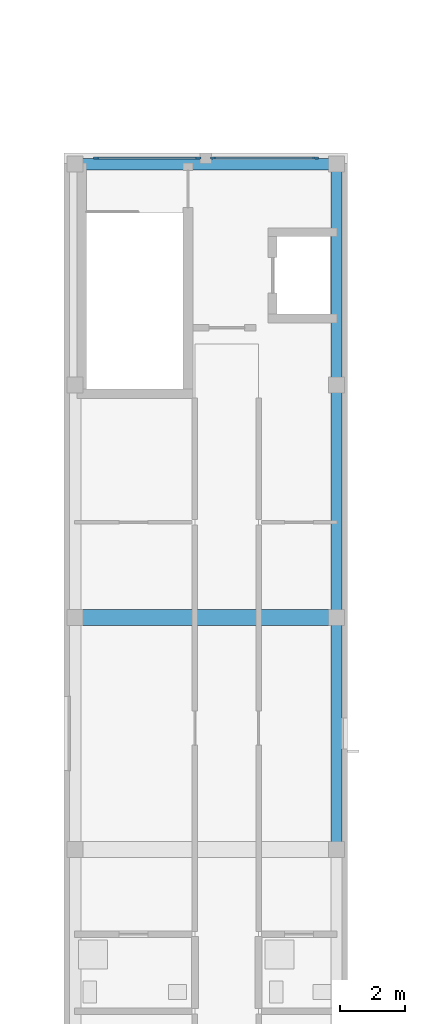
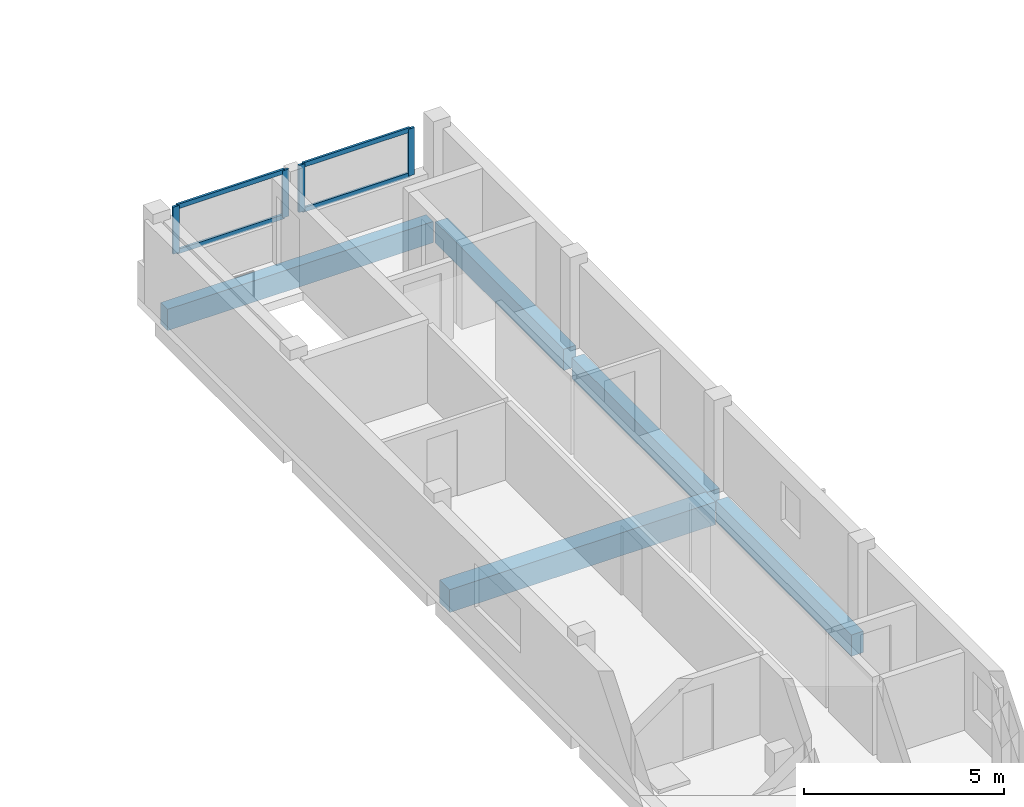
# One storey, part 6 of 28: 8 members, 5 beams, 2 elements without a shape of their own.
"""IFC4 building model written with IfcOpenShell, lengths in metres."""

from ifc_helpers import new_model, si_unit, derived_unit, direction, frame, origin, origin_2d, place, context, subcontext, project, spatial, rectangle, extrude, material, layer, layer_set, material_profile, profile_set, type_object, element, aggregate, save


model = new_model("IFC4")

# Units and contexts
model_context = context("Model", 3, precision=1e-05, world=origin(), true_north=direction((0.0, 1.0)))
body_context = subcontext(model_context, "Body", "Model", "MODEL_VIEW")
ifc_project = project(units=[si_unit("LENGTHUNIT", "METRE"), si_unit("AREAUNIT", "SQUARE_METRE"), si_unit("VOLUMEUNIT", "CUBIC_METRE"), si_unit("PLANEANGLEUNIT", "RADIAN"), si_unit("MASSUNIT", "GRAM", prefix="KILO"), derived_unit("THERMALTRANSMITTANCEUNIT", [(si_unit("MASSUNIT", "GRAM", prefix="KILO"), 1), (si_unit("TIMEUNIT", "SECOND"), -3), (si_unit("THERMODYNAMICTEMPERATUREUNIT", "KELVIN"), -1)])], contexts=[model_context])

# Site, building, storey
site_placement = place(None, origin())
site = spatial("IfcSite", under=ifc_project, at=site_placement, CompositionType="ELEMENT")
building_placement = place(site_placement, origin())
building = spatial("IfcBuilding", under=site, at=building_placement, Name="Ochrekiln Boulevard Commons", CompositionType="ELEMENT")
storey_placement = place(building_placement, frame((0.0, 0.0, 34.125)))
storey = spatial("IfcBuildingStorey", under=building, at=storey_placement, Name="L10", CompositionType="ELEMENT", Elevation=34.125)

# Beam
ifc_material_1 = material(Name="Concrete C40/50", Category="concrete")
ifc_material_profile_1 = material_profile(ifc_material_1, rectangle(XDim=0.5, YDim=0.699951171875, at=origin_2d()), Name="RC-BM-500x700")
ifc_profile_set_1 = profile_set([ifc_material_profile_1], Name="Concrete C40/50")
beam_type_1 = type_object("IfcBeamType", Name="BM-RC-500x700", PredefinedType="BEAM", material=ifc_profile_set_1)
beam_1_placement = place(storey_placement, frame((156.360107421875, 36.0, -0.60009765625), z_axis=(1.0, 0.0, 0.0), x_axis=(0.0, 1.0, 0.0)))
element("IfcBeam", 1, at=beam_1_placement, inside=storey, type_object=beam_type_1, Name="Block C L10 Beam B-5070 X5", PredefinedType="BEAM", context=body_context, shape_type="SweptSolid", body=[
    extrude(rectangle(XDim=0.5, YDim=0.699951171875, at=origin_2d()), origin(), (0.0, 0.0, 1.0), 7.679931640625),
])

# Curtain wall, members
ifc_material_2 = material(Name="Bronze-anodized extruded aluminium 6063-T6", Category="aluminium")
ifc_layer = layer(ifc_material_2, 0.18408203125)
ifc_layer_set = layer_set([ifc_layer], Name="Bronze-anodized extruded aluminium 6063-T6")
curtain_wall_type = type_object("IfcCurtainWallType", Name="CW-GABLE-B", PredefinedType="USERDEFINED", material=ifc_layer_set)
curtain_wall_1_placement = place(storey_placement, origin())
curtain_wall_1 = element("IfcCurtainWall", 2, at=curtain_wall_1_placement, inside=storey, type_object=curtain_wall_type, Name="Block C L10 Courtyard Glazed Gable Curtain Wall 1", ObjectType="GLAZED CURTAIN WALL", PredefinedType="USERDEFINED")
ifc_material_profile_2 = material_profile(ifc_material_2, rectangle(XDim=0.06494140625, YDim=0.179931640625, at=origin_2d()), Name="ALU-MUL-65x180")
ifc_profile_set_2 = profile_set([ifc_material_profile_2], Name="Bronze-anodized extruded aluminium 6063-T6")
member_type_1 = type_object("IfcMemberType", Name="CWM-65x180", PredefinedType="MULLION", material=ifc_profile_set_2)
member_1_placement = place(storey_placement, frame((156.802490234375, 50.235107421875, 1.110107421875), z_axis=(0.0, 0.0, 1.0), x_axis=(0.0, 1.0, 0.0)))
member_1 = element("IfcMember", 3, at=member_1_placement, type_object=member_type_1, Name="CW-02 mullion 1", PredefinedType="MULLION", context=body_context, shape_type="SweptSolid", body=[
    extrude(rectangle(XDim=0.06494140625, YDim=0.179931640625, at=origin_2d()), origin(), (0.0, 0.0, 1.0), 1.43994140625),
])
member_2_placement = place(storey_placement, frame((159.967529296875, 50.235107421875, 1.110107421875), z_axis=(0.0, 0.0, 1.0), x_axis=(0.0, 1.0, 0.0)))
member_2 = element("IfcMember", 4, at=member_2_placement, type_object=member_type_1, Name="CW-02 mullion 2", PredefinedType="MULLION", context=body_context, shape_type="SweptSolid", body=[
    extrude(rectangle(XDim=0.06494140625, YDim=0.179931640625, at=origin_2d()), origin(), (0.0, 0.0, 1.0), 1.43994140625),
])

curtain_wall_2_placement = place(storey_placement, origin())
curtain_wall_2 = element("IfcCurtainWall", 5, at=curtain_wall_2_placement, inside=storey, type_object=curtain_wall_type, Name="Block C L10 Courtyard Glazed Gable Curtain Wall 2", ObjectType="GLAZED CURTAIN WALL", PredefinedType="USERDEFINED")
member_3_placement = place(storey_placement, frame((160.4326171875, 50.235107421875, 1.110107421875), z_axis=(0.0, 0.0, 1.0), x_axis=(0.0, 1.0, 0.0)))
member_3 = element("IfcMember", 6, at=member_3_placement, type_object=member_type_1, Name="CW-02 mullion 1", PredefinedType="MULLION", context=body_context, shape_type="SweptSolid", body=[
    extrude(rectangle(XDim=0.06494140625, YDim=0.179931640625, at=origin_2d()), origin(), (0.0, 0.0, 1.0), 1.43994140625),
])
member_4_placement = place(storey_placement, frame((163.597412109375, 50.235107421875, 1.110107421875), z_axis=(0.0, 0.0, 1.0), x_axis=(0.0, 1.0, 0.0)))
member_4 = element("IfcMember", 7, at=member_4_placement, type_object=member_type_1, Name="CW-02 mullion 2", PredefinedType="MULLION", context=body_context, shape_type="SweptSolid", body=[
    extrude(rectangle(XDim=0.06494140625, YDim=0.179931640625, at=origin_2d()), origin(), (0.0, 0.0, 1.0), 1.43994140625),
])

# Member
ifc_material_profile_3 = material_profile(ifc_material_2, rectangle(XDim=0.06494140625, YDim=0.139892578125, at=origin_2d()), Name="ALU-TRN-65x140")
ifc_profile_set_3 = profile_set([ifc_material_profile_3], Name="Bronze-anodized extruded aluminium 6063-T6")
member_type_2 = type_object("IfcMemberType", Name="CWT-65x140", PredefinedType="USERDEFINED", material=ifc_profile_set_3)
member_5_placement = place(storey_placement, frame((156.8349609375, 50.235107421875, 1.142578125), z_axis=(1.0, 0.0, 0.0), x_axis=(0.0, 1.0, 0.0)))
member_5 = element("IfcMember", 8, at=member_5_placement, type_object=member_type_2, Name="CW-02 transom 1.1", ObjectType="TRANSOM", PredefinedType="USERDEFINED", context=body_context, shape_type="SweptSolid", body=[
    extrude(rectangle(XDim=0.06494140625, YDim=0.139892578125, at=origin_2d()), origin(), (0.0, 0.0, 1.0), 3.10009765625),
])

member_6_placement = place(storey_placement, frame((156.8349609375, 50.235107421875, 2.517578125), z_axis=(1.0, 0.0, 0.0), x_axis=(0.0, 1.0, 0.0)))
member_6 = element("IfcMember", 9, at=member_6_placement, type_object=member_type_2, Name="CW-02 transom 1.2", ObjectType="TRANSOM", PredefinedType="USERDEFINED", context=body_context, shape_type="SweptSolid", body=[
    extrude(rectangle(XDim=0.06494140625, YDim=0.139892578125, at=origin_2d()), origin(), (0.0, 0.0, 1.0), 3.10009765625),
])

aggregate(curtain_wall_1, [member_1, member_2, member_5, member_6])

member_7_placement = place(storey_placement, frame((160.465087890625, 50.235107421875, 1.142578125), z_axis=(1.0, 0.0, 0.0), x_axis=(0.0, 1.0, 0.0)))
member_7 = element("IfcMember", 10, at=member_7_placement, type_object=member_type_2, Name="CW-02 transom 1.1", ObjectType="TRANSOM", PredefinedType="USERDEFINED", context=body_context, shape_type="SweptSolid", body=[
    extrude(rectangle(XDim=0.06494140625, YDim=0.139892578125, at=origin_2d()), origin(), (0.0, 0.0, 1.0), 3.099853515625),
])

member_8_placement = place(storey_placement, frame((160.465087890625, 50.235107421875, 2.517578125), z_axis=(1.0, 0.0, 0.0), x_axis=(0.0, 1.0, 0.0)))
member_8 = element("IfcMember", 11, at=member_8_placement, type_object=member_type_2, Name="CW-02 transom 1.2", ObjectType="TRANSOM", PredefinedType="USERDEFINED", context=body_context, shape_type="SweptSolid", body=[
    extrude(rectangle(XDim=0.06494140625, YDim=0.139892578125, at=origin_2d()), origin(), (0.0, 0.0, 1.0), 3.099853515625),
])

aggregate(curtain_wall_2, [member_3, member_4, member_7, member_8])

# Beams
ifc_material_profile_4 = material_profile(ifc_material_1, rectangle(XDim=0.35009765625, YDim=0.64990234375, at=origin_2d()), Name="RC-SPN-350x650")
ifc_profile_set_4 = profile_set([ifc_material_profile_4], Name="Concrete C40/50")
beam_type_2 = type_object("IfcBeamType", Name="SPN-RC-350x650", PredefinedType="SPANDREL", material=ifc_profile_set_4)
beam_2_placement = place(storey_placement, frame((156.360107421875, 50.050048828125, -0.574951171875), z_axis=(1.0, 0.0, 0.0), x_axis=(0.0, 1.0, 0.0)))
element("IfcBeam", 12, at=beam_2_placement, inside=storey, type_object=beam_type_2, Name="Block C L10 Beam SP-3565 X6", PredefinedType="SPANDREL", context=body_context, shape_type="SweptSolid", body=[
    extrude(rectangle(XDim=0.35009765625, YDim=0.64990234375, at=origin_2d()), origin(), (0.0, 0.0, 1.0), 7.679931640625),
])
for number, where, z_axis, x_axis, name in (
    (13, (164.25, 29.010009765625, -0.574951171875), (0.0, 1.0, 0.0), (-1.0, 0.0, 0.0), "Block C L10 Beam SP-3565 Y18"),
    (14, (164.25, 36.2099609375, -0.574951171875), (0.0, 1.0, 0.0), (-1.0, 0.0, 0.0), "Block C L10 Beam SP-3565 Y19"),
):
    element("IfcBeam", number, at=place(storey_placement, frame(where, z_axis=z_axis, x_axis=x_axis)), inside=storey, type_object=beam_type_2, Name=name, PredefinedType="SPANDREL", context=body_context, shape_type="SweptSolid", body=[
        extrude(rectangle(XDim=0.35009765625, YDim=0.64990234375, at=origin_2d()), origin(), (0.0, 0.0, 1.0), 6.780029296875),
    ])
beam_3_placement = place(storey_placement, frame((164.25, 43.409912109375, -0.574951171875), z_axis=(0.0, 1.0, 0.0), x_axis=(-1.0, 0.0, 0.0)))
element("IfcBeam", 15, at=beam_3_placement, inside=storey, type_object=beam_type_2, Name="Block C L10 Beam SP-3565 Y20", PredefinedType="SPANDREL", context=body_context, shape_type="SweptSolid", body=[
    extrude(rectangle(XDim=0.35009765625, YDim=0.64990234375, at=origin_2d()), origin(), (0.0, 0.0, 1.0), 6.43017578125),
])

save(model, "model.ifc")
